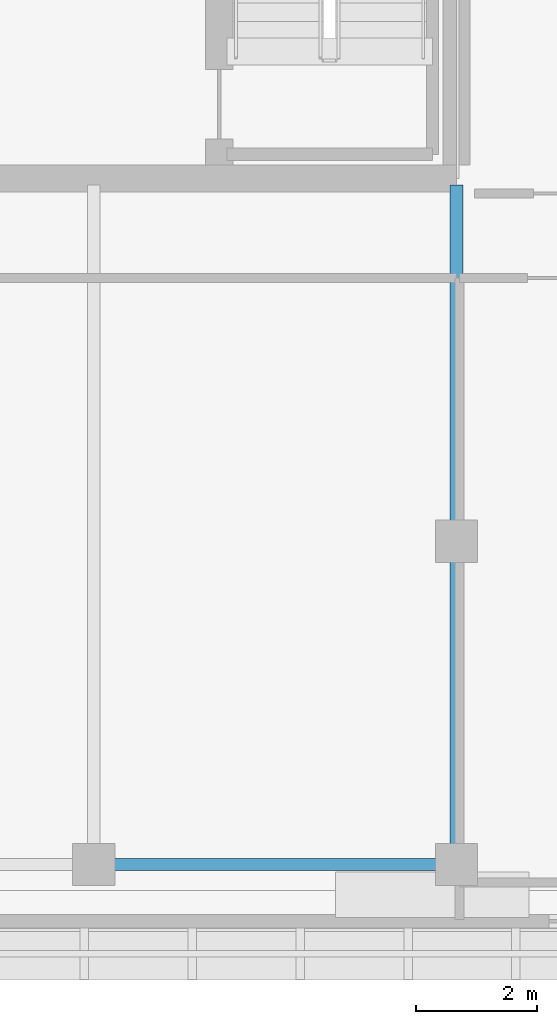
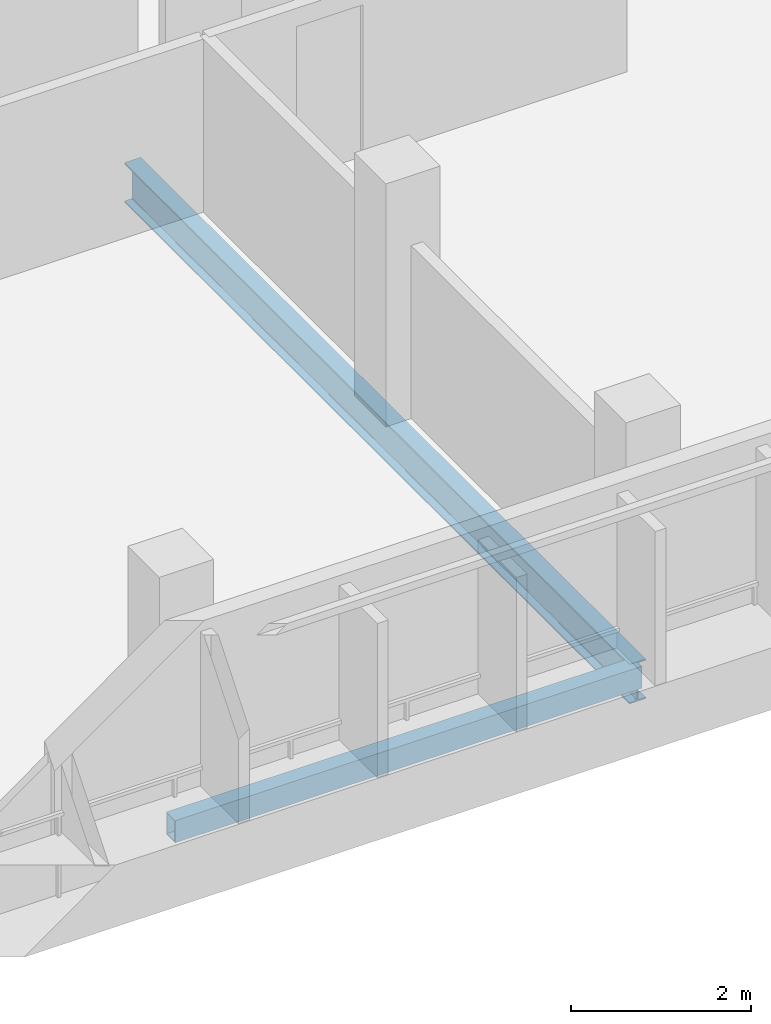
# One storey, part 15 of 30: 2 beams.
"""IFC4 building model written with IfcOpenShell, lengths in metres."""

from ifc_helpers import new_model, si_unit, direction, frame, origin, origin_2d, place, context, subcontext, project, spatial, hollow_rectangle, i_section, extrude, material, material_profile, profile_set, type_object, element, save


model = new_model("IFC4")

# Units and contexts
model_context = context("Model", 3, precision=1e-05, world=origin(), true_north=direction((0.0, 1.0)))
body_context = subcontext(model_context, "Body", "Model", "MODEL_VIEW")
ifc_project = project(units=[si_unit("LENGTHUNIT", "METRE"), si_unit("AREAUNIT", "SQUARE_METRE"), si_unit("VOLUMEUNIT", "CUBIC_METRE"), si_unit("PLANEANGLEUNIT", "RADIAN"), si_unit("MASSUNIT", "GRAM", prefix="KILO")], contexts=[model_context])

# Site, building, storey
site_placement = place(None, origin())
site = spatial("IfcSite", under=ifc_project, at=site_placement, CompositionType="ELEMENT")
building_placement = place(site_placement, origin())
building = spatial("IfcBuilding", under=site, at=building_placement, Name="Tanjung Sevakor Pilgrim Tower", CompositionType="ELEMENT")
storey_placement = place(building_placement, frame((0.0, 0.0, 229.35009765625)))
storey = spatial("IfcBuildingStorey", under=building, at=storey_placement, Name="L64", CompositionType="ELEMENT", Elevation=229.35009765625)

# Beams
ifc_material_1 = material(Name="Steel S355J2", Category="steel")
ifc_material_profile_1 = material_profile(ifc_material_1, i_section(OverallWidth=0.210693359375, OverallDepth=0.53955078125, WebThickness=0.01171875, FlangeThickness=0.018798828125, FilletRadius=0.0126953125, at=origin_2d()))
ifc_profile_set_1 = profile_set([ifc_material_profile_1], Name="Steel S355J2")
beam_type_1 = type_object("IfcBeamType", Name="BM-B-G6-UB_533x210x109", PredefinedType="BEAM", material=ifc_profile_set_1)
beam_1_placement = place(storey_placement, frame((90.0, 13.25, -0.5498046875), z_axis=(0.0, 1.0, 0.0), x_axis=(-1.0, 0.0, 0.0)))
element("IfcBeam", 1, at=beam_1_placement, inside=storey, type_object=beam_type_1, Name="L64 EAST Girder 009", PredefinedType="BEAM", context=body_context, shape_type="SweptSolid", body=[
    extrude(i_section(OverallWidth=0.210693359375, OverallDepth=0.53955078125, WebThickness=0.01171875, FlangeThickness=0.018798828125, FilletRadius=0.0126953125, at=origin_2d()), origin(), (0.0, 0.0, 1.0), 11.243896484375),
])
ifc_material_2 = material(Name="Steel S355J2", Category="steel")
ifc_material_profile_2 = material_profile(ifc_material_2, hollow_rectangle(XDim=0.199951171875, YDim=0.300048828125, WallThickness=0.012451171875, at=origin_2d()))
ifc_profile_set_2 = profile_set([ifc_material_profile_2], Name="Steel S355J2")
beam_type_2 = type_object("IfcBeamType", Name="BM-B-SP3-RHS_300x200x12.5", PredefinedType="SPANDREL", material=ifc_profile_set_2)
beam_2_placement = place(storey_placement, frame((84.0, 13.25, -0.43017578125), z_axis=(1.0, 0.0, 0.0), x_axis=(0.0, 1.0, 0.0)))
element("IfcBeam", 2, at=beam_2_placement, inside=storey, type_object=beam_type_2, Name="L64 Spandrel EAST S-05", PredefinedType="SPANDREL", context=body_context, shape_type="SweptSolid", body=[
    extrude(hollow_rectangle(XDim=0.199951171875, YDim=0.300048828125, WallThickness=0.012451171875, at=origin_2d()), origin(), (0.0, 0.0, 1.0), 6.0),
])

save(model, "model.ifc")
